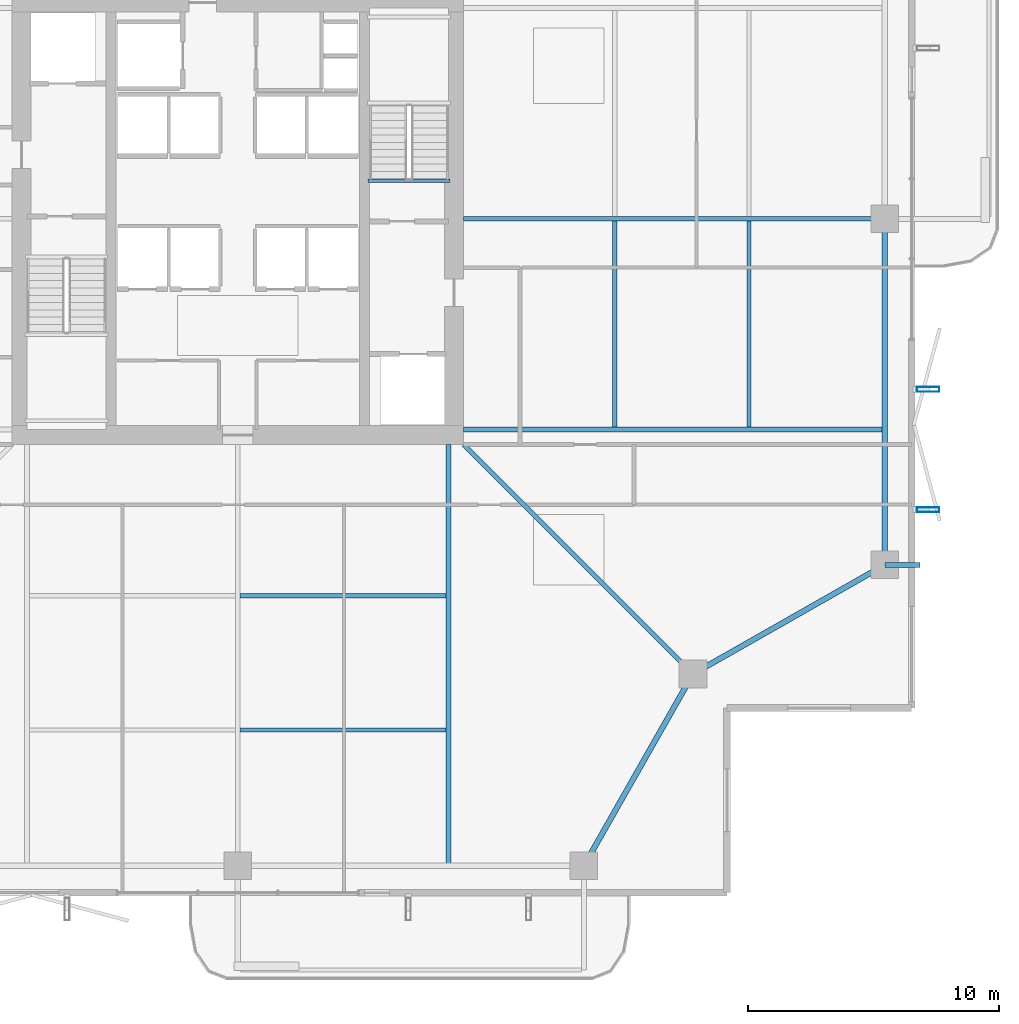
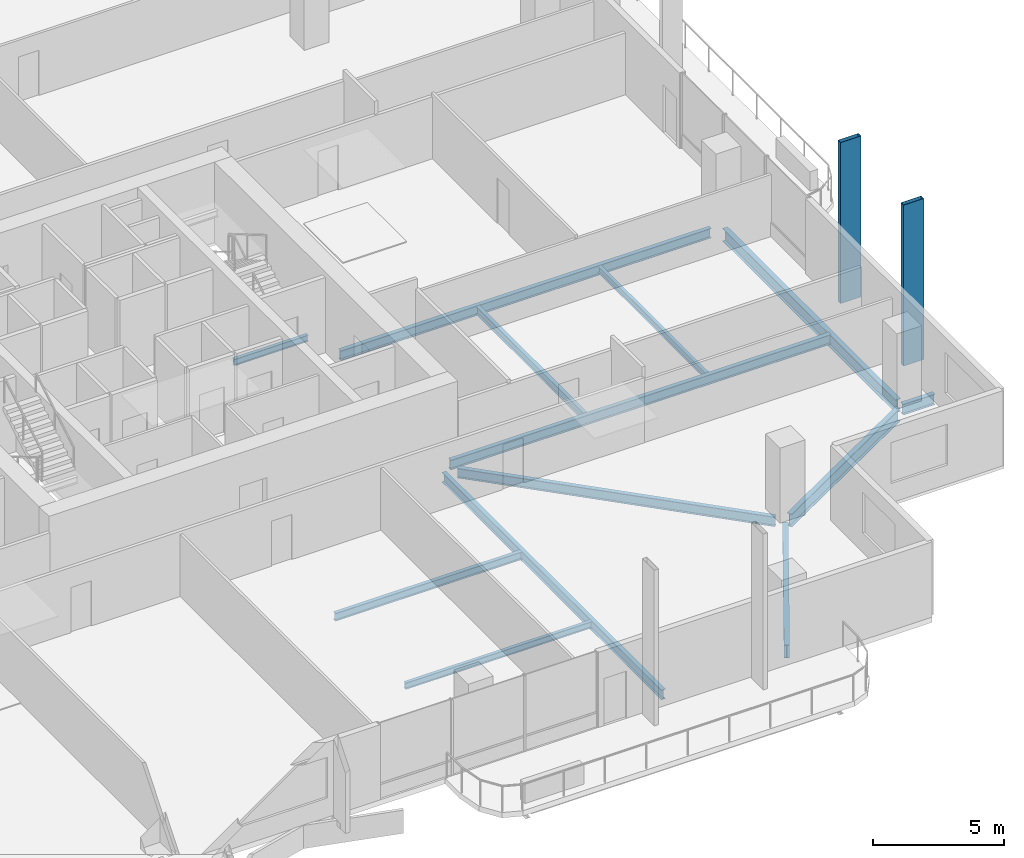
# One storey, part 7 of 24: 13 beams, 2 members.
"""IFC4 building model written with IfcOpenShell, lengths in metres."""

import ifcopenshell
import ifcopenshell.guid

model = None  # the IFC model being written
_history = None  # IfcOwnerHistory: only IFC2X3 demands one
_inside = {}  # id of a spatial element -> (the spatial element, [elements in it])
_under = {}  # id of a project, library or spatial element -> (it, [spatial elements below it])
_declared = {}  # id of a project -> (the project, [libraries it declares])
_typed = {}  # id of a type object -> (the type object, [elements of that type])
_made_of = {}  # id of a material, layer set ... -> (it, [elements and type objects made of it])


def new_model(schema):
    """Start an empty IFC model of exactly this schema.

    Asked for "IFC4X3", IfcOpenShell would pick the latest addendum, in which some entities
    have other attributes; the version numbers below select the first issue.
    IFC2X3 requires an IfcOwnerHistory on every rooted entity: one is made here for all.
    """
    global model, _history
    if schema == "IFC4X3":
        model = ifcopenshell.file(schema_version=(4, 3, 0, 0))
    else:
        model = ifcopenshell.file(schema=schema)
    _inside.clear()
    _under.clear()
    _declared.clear()
    _typed.clear()
    _made_of.clear()
    _history = None
    if model.schema == "IFC2X3":
        org = make("IfcOrganization", Name="unknown")
        user = make(
            "IfcPersonAndOrganization",
            ThePerson=make("IfcPerson", FamilyName="unknown"),
            TheOrganization=org,
        )
        app = make(
            "IfcApplication",
            ApplicationDeveloper=org,
            Version="unknown",
            ApplicationFullName="unknown",
            ApplicationIdentifier="unknown",
        )
        _history = make(
            "IfcOwnerHistory",
            OwningUser=user,
            OwningApplication=app,
            ChangeAction="ADDED",
            CreationDate=0,
        )
    return model


def make(cls, **values):
    """One entity of the class cls with the attributes given. An attribute that is None is left unset."""
    return model.create_entity(
        cls, **{name: value for name, value in values.items() if value is not None}
    )


def rooted(cls, **values):
    """An entity with a GlobalId (a new one), such as an element, a storey or a relation."""
    return make(cls, GlobalId=ifcopenshell.guid.new(), OwnerHistory=_history, **values)


def si_unit(unit_type, name, prefix=None):
    """IfcSIUnit, for example si_unit("LENGTHUNIT", "METRE", prefix="MILLI")."""
    return make("IfcSIUnit", UnitType=unit_type, Prefix=prefix, Name=name)


def assignment(units):
    """IfcUnitAssignment: the units of a project."""
    return None if units is None else make("IfcUnitAssignment", Units=units)


def point(xyz):
    """IfcCartesianPoint."""
    return None if xyz is None else make("IfcCartesianPoint", Coordinates=xyz)


def direction(xyz):
    """IfcDirection."""
    return None if xyz is None else make("IfcDirection", DirectionRatios=xyz)


def frame(location, z_axis=None, x_axis=None):
    """IfcAxis2Placement3D, a coordinate frame: its origin and axes. An axis left out is left unset."""
    return make(
        "IfcAxis2Placement3D",
        Location=point(location),
        Axis=direction(z_axis),
        RefDirection=direction(x_axis),
    )


def frame_2d(location, x_axis=None):
    """IfcAxis2Placement2D, a coordinate frame in the plane: its origin and x axis."""
    return make(
        "IfcAxis2Placement2D", Location=point(location), RefDirection=direction(x_axis)
    )


def origin():
    """The frame at (0, 0, 0) with its axes left unset."""
    return frame((0.0, 0.0, 0.0))


def origin_2d():
    """The frame at (0, 0) in the plane with its x axis left unset."""
    return frame_2d((0.0, 0.0))


def place(relative_to, where):
    """IfcLocalPlacement: puts the frame where relative to a parent placement (None: the world)."""
    return make(
        "IfcLocalPlacement", PlacementRelTo=relative_to, RelativePlacement=where
    )


def context(
    kind, dimensions, precision=None, world=None, true_north=None, identifier=None
):
    """IfcGeometricRepresentationContext, for example the 3D "Model" context."""
    return make(
        "IfcGeometricRepresentationContext",
        ContextIdentifier=identifier,
        ContextType=kind,
        CoordinateSpaceDimension=dimensions,
        Precision=precision,
        WorldCoordinateSystem=world,
        TrueNorth=true_north,
    )


def subcontext(parent, identifier, kind, view, scale=None):
    """IfcGeometricRepresentationSubContext, for example "Body" below "Model"."""
    return make(
        "IfcGeometricRepresentationSubContext",
        ContextIdentifier=identifier,
        ContextType=kind,
        ParentContext=parent,
        TargetScale=scale,
        TargetView=view,
    )


def project(units=None, contexts=None):
    """IfcProject with its units and contexts."""
    return rooted(
        "IfcProject",
        Name="project",
        RepresentationContexts=contexts,
        UnitsInContext=assignment(units),
    )


def spatial(cls, under=None, at=None, **own):
    """A site, building, storey or space (cls), placed at a placement, below another one or the project."""
    s = rooted(cls, ObjectPlacement=at, **own)
    if under is not None:
        _under.setdefault(under.id(), (under, []))[1].append(s)
    return s


def profile(cls, at=None, kind="AREA", **sizes):
    """A parametric profile (cls). Its sizes go by their IFC names, for example OverallWidth=200.0."""
    return make(cls, ProfileType=kind, Position=at, **sizes)


def hollow_rectangle(**sizes):
    """IfcRectangleHollowProfileDef."""
    return profile("IfcRectangleHollowProfileDef", **sizes)


def i_section(**sizes):
    """IfcIShapeProfileDef."""
    return profile("IfcIShapeProfileDef", **sizes)


def extrude(swept, where, along, depth):
    """IfcExtrudedAreaSolid: the profile swept, set in the frame where, extruded along a direction by depth."""
    return make(
        "IfcExtrudedAreaSolid",
        SweptArea=swept,
        Position=where,
        ExtrudedDirection=direction(along),
        Depth=depth,
    )


def shape(context_of_items, identifier, shape_type, items):
    """IfcShapeRepresentation: the items that make up one representation, for example the "Body"."""
    return make(
        "IfcShapeRepresentation",
        ContextOfItems=context_of_items,
        RepresentationIdentifier=identifier,
        RepresentationType=shape_type,
        Items=items,
    )


def material(Name=None, Category=None):
    """IfcMaterial."""
    return make("IfcMaterial", Name=Name, Category=Category)


def material_profile(
    of_material, cross_section, Name=None, Category=None, Priority=None
):
    """IfcMaterialProfile: a cross section and its material."""
    return make(
        "IfcMaterialProfile",
        Name=Name,
        Material=of_material,
        Profile=cross_section,
        Priority=Priority,
        Category=Category,
    )


def profile_set(profiles, Name=None, composite=None):
    """IfcMaterialProfileSet."""
    return make(
        "IfcMaterialProfileSet",
        Name=Name,
        MaterialProfiles=profiles,
        CompositeProfile=composite,
    )


def made_of(thing, what):
    """Note that an element or type object is made of a material, layer set ...; save() writes the relation."""
    if what is not None:
        _made_of.setdefault(what.id(), (what, []))[1].append(thing)
    return thing


def type_object(cls, material=None, **own):
    """A type object (cls), such as IfcWallType, which elements share."""
    return made_of(rooted(cls, **own), material)


def element(
    cls,
    number,
    at=None,
    inside=None,
    cuts=None,
    type_object=None,
    material=None,
    context=None,
    identifier="Body",
    shape_type=None,
    held_by="IfcProductDefinitionShape",
    body=None,
    shapes=None,
    **own,
):
    """One element of the class cls, such as IfcWall. Its Tag is "e" and its number.

    at: its placement. inside: the storey or other place that contains it. cuts: it is an
    opening in that element (IfcRelVoidsElement). A single representation is given by context,
    identifier, shape_type and body (its items); several are given by shapes. held_by: the class
    of the entity that holds the representations. save() writes the other relations.
    """
    e = rooted(cls, Tag="e%d" % number, ObjectPlacement=at, **own)
    if body is not None:
        shapes = [shape(context, identifier, shape_type, body)]
    if shapes is not None:
        e.Representation = make(held_by, Representations=shapes)
    if inside is not None:
        _inside.setdefault(inside.id(), (inside, []))[1].append(e)
    if cuts is not None:
        rooted(
            "IfcRelVoidsElement", RelatingBuildingElement=cuts, RelatedOpeningElement=e
        )
    if type_object is not None:
        _typed.setdefault(type_object.id(), (type_object, []))[1].append(e)
    return made_of(e, material)


def aggregate(whole, parts):
    """IfcRelAggregates: a whole, such as a stair, and the parts it consists of."""
    return rooted("IfcRelAggregates", RelatingObject=whole, RelatedObjects=parts)


def save(model, path):
    """Write the relations noted so far, then the file.

    IfcRelAggregates (storeys below a building ...), IfcRelContainedInSpatialStructure (elements
    in a storey), IfcRelDefinesByType, IfcRelAssociatesMaterial and IfcRelDeclares: one each for
    every whole, place, type object, material and project.
    """
    for whole, parts in _under.values():
        aggregate(whole, parts)
    for where, things in _inside.values():
        rooted(
            "IfcRelContainedInSpatialStructure",
            RelatedElements=things,
            RelatingStructure=where,
        )
    for kind, things in _typed.values():
        rooted("IfcRelDefinesByType", RelatedObjects=things, RelatingType=kind)
    for what, things in _made_of.values():
        rooted("IfcRelAssociatesMaterial", RelatedObjects=things, RelatingMaterial=what)
    for by, libraries in _declared.values():
        rooted("IfcRelDeclares", RelatingContext=by, RelatedDefinitions=libraries)
    model.write(path)


model = new_model("IFC4")

# Units and contexts
model_context = context("Model", 3, precision=1e-05, world=origin(), true_north=direction((0.0, 1.0)))
body_context = subcontext(model_context, "Body", "Model", "MODEL_VIEW")
ifc_project = project(units=[si_unit("LENGTHUNIT", "METRE"), si_unit("AREAUNIT", "SQUARE_METRE"), si_unit("VOLUMEUNIT", "CUBIC_METRE"), si_unit("PLANEANGLEUNIT", "RADIAN"), si_unit("MASSUNIT", "GRAM", prefix="KILO")], contexts=[model_context])

# Site, building, storey
site_placement = place(None, origin())
site = spatial("IfcSite", under=ifc_project, at=site_placement, CompositionType="ELEMENT")
building_placement = place(site_placement, origin())
building = spatial("IfcBuilding", under=site, at=building_placement, Name="Belovzor Exchange Tower", CompositionType="ELEMENT")
storey_placement = place(building_placement, frame((0.0, 0.0, 203.699951171875)))
storey = spatial("IfcBuildingStorey", under=building, at=storey_placement, Name="L50", CompositionType="ELEMENT", Elevation=203.699951171875)

# Beams
ifc_material_1 = material(Name="Steel S355", Category="steel")
ifc_material_profile_1 = material_profile(ifc_material_1, i_section(OverallWidth=0.199951171875, OverallDepth=0.5, WebThickness=0.01025390625, FlangeThickness=0.01611328125, at=origin_2d()))
ifc_profile_set_1 = profile_set([ifc_material_profile_1], Name="Steel S355")
beam_type_1 = type_object("IfcBeamType", Name="Planted Balcony Cantilever Beam IPE 500", PredefinedType="BEAM", material=ifc_profile_set_1)
beam_1_placement = place(storey_placement, frame((54.60009765625, 15.0, -0.5), z_axis=(1.0, 0.0, 0.0), x_axis=(0.0, 1.0, 0.0)))
element("IfcBeam", 1, at=beam_1_placement, inside=storey, type_object=beam_type_1, Name="BC-500 Planted Balcony Cantilever Beam IPE 500", PredefinedType="BEAM", context=body_context, shape_type="SweptSolid", body=[
    extrude(i_section(OverallWidth=0.199951171875, OverallDepth=0.5, WebThickness=0.01025390625, FlangeThickness=0.01611328125, at=origin_2d()), origin(), (0.0, 0.0, 1.0), 1.39990234375),
])
ifc_material_2 = material(Name="Steel S355", Category="steel")
ifc_material_profile_2 = material_profile(ifc_material_2, i_section(OverallWidth=0.169921875, OverallDepth=0.360107421875, WebThickness=0.008056640625, FlangeThickness=0.0126953125, at=origin_2d()))
ifc_profile_set_2 = profile_set([ifc_material_profile_2], Name="Steel S355")
beam_type_2 = type_object("IfcBeamType", Name="Secondary Infill Floor Joist IPE 360", PredefinedType="BEAM", material=ifc_profile_set_2)
for number, where, z_axis, x_axis, name in (
    (2, (28.89501953125, 13.77197265625, -0.429931640625), (1.0, 0.0, 0.0), (0.0, 1.0, 0.0), "FJ-360 Secondary Infill Floor Joist IPE 360"),
    (3, (43.827880859375, 20.4951171875, -0.429931640625), (0.0, 1.0, 0.0), (-1.0, 0.0, 0.0), "FJ-360 Secondary Infill Floor Joist IPE 360"),
):
    element("IfcBeam", number, at=place(storey_placement, frame(where, z_axis=z_axis, x_axis=x_axis)), inside=storey, type_object=beam_type_2, Name=name, PredefinedType="BEAM", context=body_context, shape_type="SweptSolid", body=[
        extrude(i_section(OverallWidth=0.169921875, OverallDepth=0.360107421875, WebThickness=0.008056640625, FlangeThickness=0.0126953125, at=origin_2d()), origin(), (0.0, 0.0, 1.0), 8.2099609375),
    ])
ifc_material_3 = material(Name="Steel S355", Category="steel")
ifc_material_profile_3 = material_profile(ifc_material_3, i_section(OverallWidth=0.14990234375, OverallDepth=0.300048828125, WebThickness=0.007080078125, FlangeThickness=0.0107421875, at=origin_2d()))
ifc_profile_set_3 = profile_set([ifc_material_profile_3], Name="Steel S355")
beam_type_3 = type_object("IfcBeamType", Name="Secondary Trim Floor Joist IPE 300", PredefinedType="BEAM", material=ifc_profile_set_3)
beam_2_placement = place(storey_placement, frame((37.260009765625, 30.320068359375, -0.39990234375), z_axis=(-1.0, 0.0, 0.0), x_axis=(0.0, -1.0, 0.0)))
element("IfcBeam", 4, at=beam_2_placement, inside=storey, type_object=beam_type_3, Name="FJ-300 Secondary Trim Floor Joist IPE 300", PredefinedType="BEAM", context=body_context, shape_type="SweptSolid", body=[
    extrude(i_section(OverallWidth=0.14990234375, OverallDepth=0.300048828125, WebThickness=0.007080078125, FlangeThickness=0.0107421875, at=origin_2d()), origin(), (0.0, 0.0, 1.0), 3.27001953125),
])
for number, where, z_axis, x_axis, name in (
    (5, (28.89501953125, 8.4130859375, -0.39990234375), (1.0, 0.0, 0.0), (0.0, 1.0, 0.0), "FJ-300 Secondary Trim Floor Joist IPE 300"),
    (6, (49.18701171875, 20.4951171875, -0.39990234375), (0.0, 1.0, 0.0), (-1.0, 0.0, 0.0), "FJ-300 Secondary Trim Floor Joist IPE 300"),
):
    element("IfcBeam", number, at=place(storey_placement, frame(where, z_axis=z_axis, x_axis=x_axis)), inside=storey, type_object=beam_type_3, Name=name, PredefinedType="BEAM", context=body_context, shape_type="SweptSolid", body=[
        extrude(i_section(OverallWidth=0.14990234375, OverallDepth=0.300048828125, WebThickness=0.007080078125, FlangeThickness=0.0107421875, at=origin_2d()), origin(), (0.0, 0.0, 1.0), 8.2099609375),
    ])

# Members
ifc_material_4 = material(Name="Extruded Architectural Terracotta on Steel S355 Carrier", Category="masonry")
ifc_material_profile_4 = material_profile(ifc_material_4, hollow_rectangle(XDim=0.199951171875, YDim=0.89990234375, WallThickness=0.011962890625, at=origin_2d()))
ifc_profile_set_4 = profile_set([ifc_material_profile_4], Name="Extruded Architectural Terracotta on Steel S355 Carrier")
member_type = type_object("IfcMemberType", Name="Sweeping Terracotta Baguette Fin Assembly 950", PredefinedType="USERDEFINED", material=ifc_profile_set_4)
for number, where, z_axis, x_axis, name in (
    (7, (56.324951171875, 17.199951171875, -0.25), (0.0, 0.0, 1.0), (0.0, 1.0, 0.0), "FIN-TC095 Terracotta Facade Fin L50 E1"),
    (8, (56.324951171875, 22.0, -0.25), (0.0, 0.0, 1.0), (0.0, 1.0, 0.0), "FIN-TC095 Terracotta Facade Fin L50 E2"),
):
    element("IfcMember", number, at=place(storey_placement, frame(where, z_axis=z_axis, x_axis=x_axis)), inside=storey, type_object=member_type, Name=name, ObjectType="FIN", PredefinedType="USERDEFINED", context=body_context, shape_type="SweptSolid", body=[
        extrude(hollow_rectangle(XDim=0.199951171875, YDim=0.89990234375, WallThickness=0.011962890625, at=origin_2d()), origin(), (0.0, 0.0, 1.0), 7.5),
    ])

# Beams
ifc_material_5 = material(Name="Steel S355", Category="steel")
ifc_material_profile_5 = material_profile(ifc_material_5, i_section(OverallWidth=0.18994140625, OverallDepth=0.449951171875, WebThickness=0.009521484375, FlangeThickness=0.0146484375, at=origin_2d()))
ifc_profile_set_5 = profile_set([ifc_material_profile_5], Name="Steel S355")
beam_type_4 = type_object("IfcBeamType", Name="Zone 2-4 Radial Composite Floor Beam IPE 450", PredefinedType="BEAM", material=ifc_profile_set_5)
beam_3_placement = place(storey_placement, frame((37.199951171875, 19.800048828125, -0.474853515625), z_axis=(0.0, -1.0, 0.0), x_axis=(1.0, 0.0, 0.0)))
element("IfcBeam", 9, at=beam_3_placement, inside=storey, type_object=beam_type_4, Name="FB-450 Zone 2-4 Radial Composite Floor Beam IPE 450", PredefinedType="BEAM", context=body_context, shape_type="SweptSolid", body=[
    extrude(i_section(OverallWidth=0.18994140625, OverallDepth=0.449951171875, WebThickness=0.009521484375, FlangeThickness=0.0146484375, at=origin_2d()), origin(), (0.0, 0.0, 1.0), 16.7451171875),
])
beam_4_placement = place(storey_placement, frame((37.800048828125, 20.39990234375, -0.474853515625), z_axis=(1.0, 0.0, 0.0), x_axis=(0.0, 1.0, 0.0)))
element("IfcBeam", 10, at=beam_4_placement, inside=storey, type_object=beam_type_4, Name="FB-450 Zone 2-4 Radial Composite Floor Beam IPE 450", PredefinedType="BEAM", context=body_context, shape_type="SweptSolid", body=[
    extrude(i_section(OverallWidth=0.18994140625, OverallDepth=0.449951171875, WebThickness=0.009521484375, FlangeThickness=0.0146484375, at=origin_2d()), origin(), (0.0, 0.0, 1.0), 16.744873046875),
])
beam_5_placement = place(storey_placement, frame((37.800048828125, 28.800048828125, -0.474853515625), z_axis=(1.0, 0.0, 0.0), x_axis=(0.0, 1.0, 0.0)))
element("IfcBeam", 11, at=beam_5_placement, inside=storey, type_object=beam_type_4, Name="FB-450 Zone 2-4 Radial Composite Floor Beam IPE 450", PredefinedType="BEAM", context=body_context, shape_type="SweptSolid", body=[
    extrude(i_section(OverallWidth=0.18994140625, OverallDepth=0.449951171875, WebThickness=0.009521484375, FlangeThickness=0.0146484375, at=origin_2d()), origin(), (0.0, 0.0, 1.0), 16.31591796875),
])
beam_6_placement = place(storey_placement, frame((37.800048828125, 19.800048828125, -0.474853515625), z_axis=(0.707106781187, -0.707106781187, 0.0), x_axis=(0.707106781187, 0.707106781187, 0.0)))
element("IfcBeam", 12, at=beam_6_placement, inside=storey, type_object=beam_type_4, Name="FB-450 Zone 2-4 Radial Composite Floor Beam IPE 450", PredefinedType="BEAM", context=body_context, shape_type="SweptSolid", body=[
    extrude(i_section(OverallWidth=0.18994140625, OverallDepth=0.449951171875, WebThickness=0.009521484375, FlangeThickness=0.0146484375, at=origin_2d()), origin(), (0.0, 0.0, 1.0), 12.551025390625),
])
ifc_material_6 = material(Name="Steel S355", Category="steel")
ifc_material_profile_6 = material_profile(ifc_material_6, i_section(OverallWidth=0.219970703125, OverallDepth=0.60009765625, WebThickness=0.011962890625, FlangeThickness=0.01904296875, at=origin_2d()))
ifc_profile_set_6 = profile_set([ifc_material_profile_6], Name="Steel S355")
beam_type_5 = type_object("IfcBeamType", Name="Zone 4 Flare Primary Girder IPE 600", PredefinedType="BEAM", material=ifc_profile_set_6)
for number, where, z_axis, x_axis, name in (
    (13, (42.75, 3.262939453125, -0.550048828125), (0.494222323641, 0.869335547884, 0.0), (-0.869335547884, 0.494222323641, 0.0), "FG-Z4 Zone 4 Flare Primary Girder IPE 600"),
    (14, (47.212890625, 10.800048828125, -0.550048828125), (0.869335547884, 0.494222323641, 0.0), (-0.494222323641, 0.869335547884, 0.0), "FG-Z4 Zone 4 Flare Primary Girder IPE 600"),
):
    element("IfcBeam", number, at=place(storey_placement, frame(where, z_axis=z_axis, x_axis=x_axis)), inside=storey, type_object=beam_type_5, Name=name, PredefinedType="BEAM", context=body_context, shape_type="SweptSolid", body=[
        extrude(i_section(OverallWidth=0.219970703125, OverallDepth=0.60009765625, WebThickness=0.011962890625, FlangeThickness=0.01904296875, at=origin_2d()), origin(), (0.0, 0.0, 1.0), 8.19482421875),
    ])
beam_7_placement = place(storey_placement, frame((54.60009765625, 15.302978515625, -0.550048828125), z_axis=(0.0, 1.0, 0.0), x_axis=(-1.0, 0.0, 0.0)))
element("IfcBeam", 15, at=beam_7_placement, inside=storey, type_object=beam_type_5, Name="FG-Z4 Zone 4 Flare Primary Girder IPE 600", PredefinedType="BEAM", context=body_context, shape_type="SweptSolid", body=[
    extrude(i_section(OverallWidth=0.219970703125, OverallDepth=0.60009765625, WebThickness=0.011962890625, FlangeThickness=0.01904296875, at=origin_2d()), origin(), (0.0, 0.0, 1.0), 13.195068359375),
])

save(model, "model.ifc")
